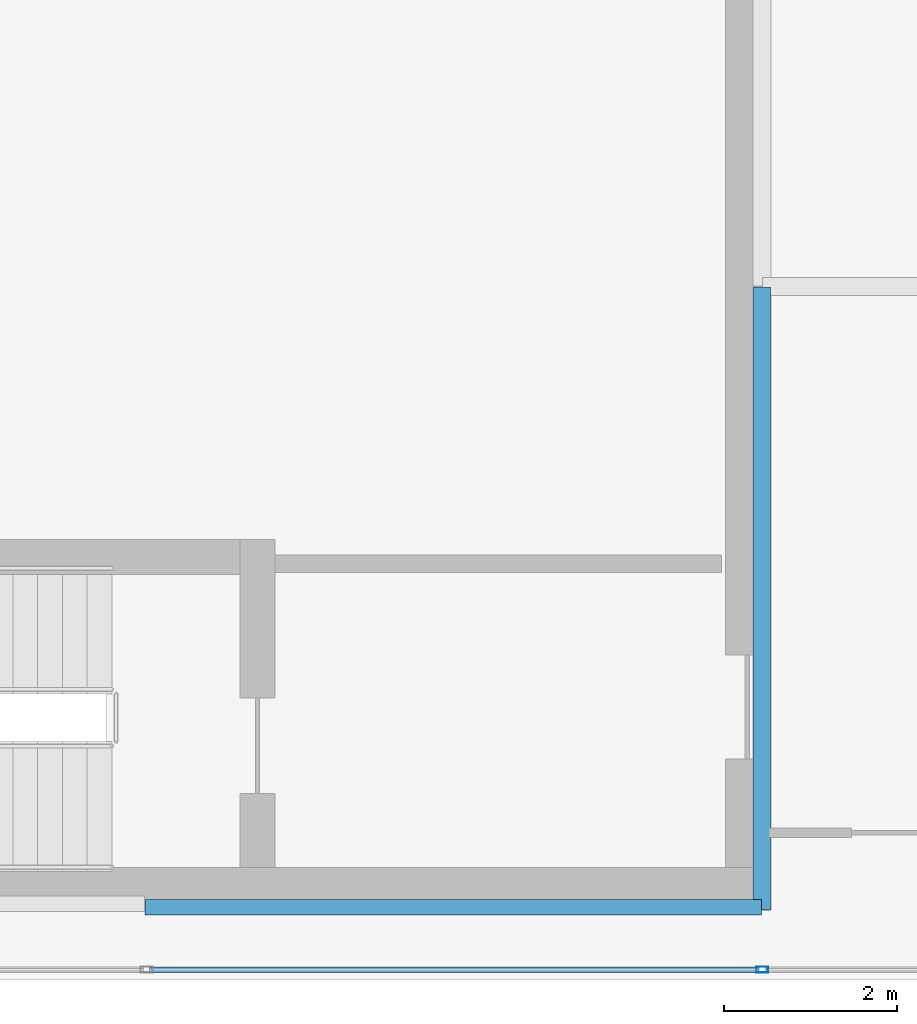
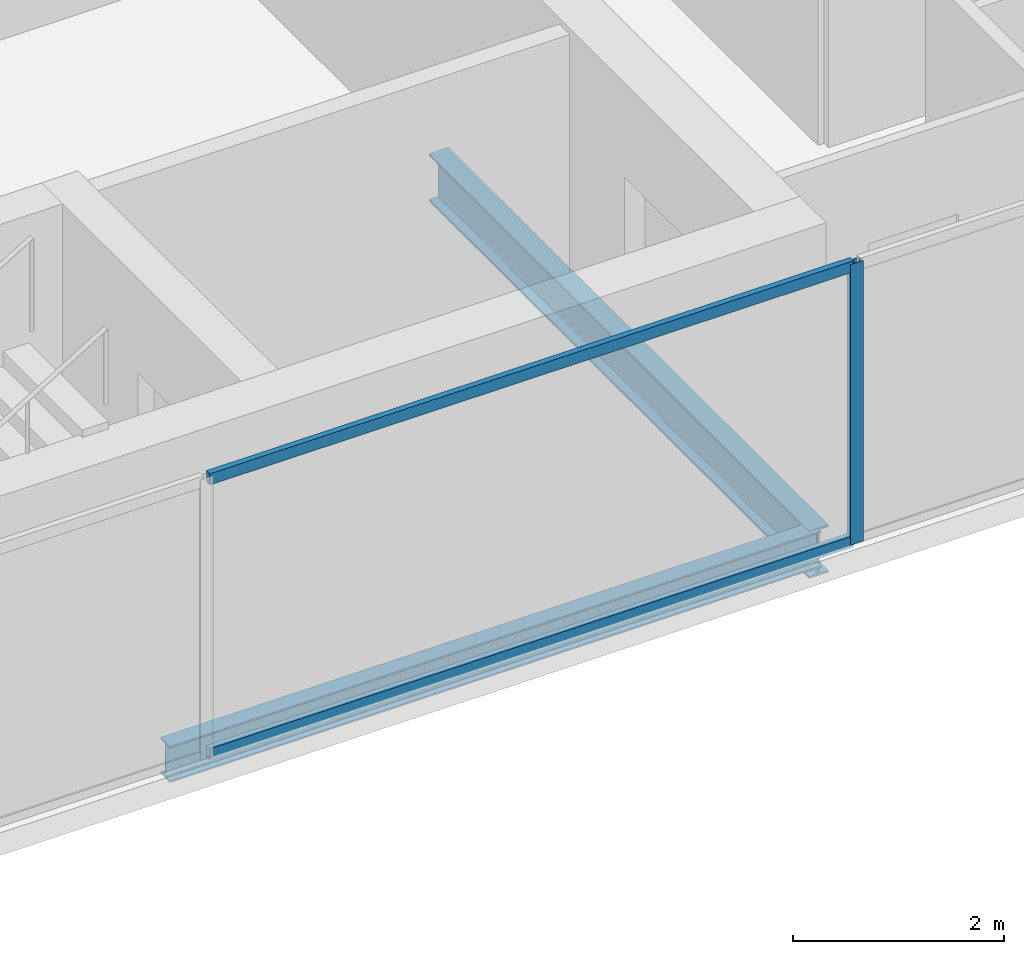
# One storey, part 3 of 24: 3 members, 2 beams, 1 element without a shape of its own.
"""IFC4 building model written with IfcOpenShell, lengths in metres."""

from ifc_helpers import new_model, si_unit, direction, frame, origin, origin_2d, place, context, subcontext, project, spatial, hollow_rectangle, i_section, extrude, material, material_profile, profile_set, type_object, element, aggregate, save


model = new_model("IFC4")

# Units and contexts
model_context = context("Model", 3, precision=1e-05, world=origin(), true_north=direction((0.0, 1.0)))
body_context = subcontext(model_context, "Body", "Model", "MODEL_VIEW")
ifc_project = project(units=[si_unit("LENGTHUNIT", "METRE"), si_unit("AREAUNIT", "SQUARE_METRE"), si_unit("VOLUMEUNIT", "CUBIC_METRE"), si_unit("PLANEANGLEUNIT", "RADIAN"), si_unit("MASSUNIT", "GRAM", prefix="KILO")], contexts=[model_context])

# Site, building, storey
site_placement = place(None, origin())
site = spatial("IfcSite", under=ifc_project, at=site_placement, CompositionType="ELEMENT")
building_placement = place(site_placement, origin())
building = spatial("IfcBuilding", under=site, at=building_placement, Name="Cobrela Telecom Tower", CompositionType="ELEMENT")
storey_placement = place(building_placement, frame((0.0, 0.0, 248.14990234375)))
storey = spatial("IfcBuildingStorey", under=building, at=storey_placement, Name="L64", CompositionType="ELEMENT", Elevation=248.14990234375)

# Beams
ifc_material_1 = material(Name="Steel ASTM A992 Grade 50", Category="steel")
ifc_material_profile_1 = material_profile(ifc_material_1, i_section(OverallWidth=0.212890625, OverallDepth=0.549072265625, WebThickness=0.0146484375, FlangeThickness=0.023681640625, FilletRadius=0.013916015625, at=origin_2d()), Name="W21X93")
ifc_profile_set_1 = profile_set([ifc_material_profile_1], Name="Steel ASTM A992 Grade 50")
beam_type_1 = type_object("IfcBeamType", Name="BM-GIRD-08", PredefinedType="USERDEFINED", material=ifc_profile_set_1)
beam_1_placement = place(storey_placement, frame((14.320068359375, 7.205078125, -0.534423828125), z_axis=(0.0, 1.0, 0.0), x_axis=(-1.0, 0.0, 0.0)))
element("IfcBeam", 1, at=beam_1_placement, inside=storey, type_object=beam_type_1, Name="L64 Primary Girder Y21", ObjectType="GIRDER", PredefinedType="USERDEFINED", context=body_context, shape_type="SweptSolid", body=[
    extrude(i_section(OverallWidth=0.212890625, OverallDepth=0.549072265625, WebThickness=0.0146484375, FlangeThickness=0.023681640625, FilletRadius=0.013916015625, at=origin_2d()), origin(), (0.0, 0.0, 1.0), 7.18994140625),
])
ifc_material_profile_2 = material_profile(ifc_material_1, i_section(OverallWidth=0.179931640625, OverallDepth=0.4169921875, WebThickness=0.010986328125, FlangeThickness=0.01806640625, FilletRadius=0.011962890625, at=origin_2d()), Name="W16X57")
ifc_profile_set_2 = profile_set([ifc_material_profile_2], Name="Steel ASTM A992 Grade 50")
beam_type_2 = type_object("IfcBeamType", Name="BM-SPAND-06", PredefinedType="SPANDREL", material=ifc_profile_set_2)
beam_2_placement = place(storey_placement, frame((7.205078125, 7.239990234375, -0.468505859375), z_axis=(1.0, 0.0, 0.0), x_axis=(0.0, 1.0, 0.0)))
element("IfcBeam", 2, at=beam_2_placement, inside=storey, type_object=beam_type_2, Name="L64 Perimeter Spandrel X02", PredefinedType="SPANDREL", context=body_context, shape_type="SweptSolid", body=[
    extrude(i_section(OverallWidth=0.179931640625, OverallDepth=0.4169921875, WebThickness=0.010986328125, FlangeThickness=0.01806640625, FilletRadius=0.011962890625, at=origin_2d()), origin(), (0.0, 0.0, 1.0), 7.10986328125),
])

# Curtain wall, members
ifc_material_2 = material(Name="Anodized Bronze Aluminium 6063-T6", Category="aluminium")
curtain_wall_type = type_object("IfcCurtainWallType", Name="CW-SYS-OFF-HI", PredefinedType="USERDEFINED", material=ifc_material_2)
curtain_wall_placement = place(storey_placement, origin())
curtain_wall = element("IfcCurtainWall", 3, at=curtain_wall_placement, inside=storey, type_object=curtain_wall_type, Name="L64 Unitised Bronze Curtain Wall 15", ObjectType="UNITISED CURTAIN WALL", PredefinedType="USERDEFINED")
ifc_material_profile_3 = material_profile(ifc_material_2, hollow_rectangle(XDim=0.070068359375, YDim=0.139892578125, WallThickness=0.00390625, at=origin_2d()), Name="ALU 70x140x4")
ifc_profile_set_3 = profile_set([ifc_material_profile_3], Name="Anodized Bronze Aluminium 6063-T6")
member_type_1 = type_object("IfcMemberType", Name="CW-SYS-OFF-HI-MUL", PredefinedType="MULLION", material=ifc_profile_set_3)
member_1_placement = place(storey_placement, frame((14.3232421875, 6.52001953125, 0.0), z_axis=(0.0, 0.0, 1.0), x_axis=(0.0, -1.0, 0.0)))
member_1 = element("IfcMember", 4, at=member_1_placement, type_object=member_type_1, Name="CW-OFF-HI mullion 5", PredefinedType="MULLION", context=body_context, shape_type="SweptSolid", body=[
    extrude(hollow_rectangle(XDim=0.070068359375, YDim=0.139892578125, WallThickness=0.00390625, at=origin_2d()), origin(), (0.0, 0.0, 1.0), 3.239990234375),
])
ifc_material_profile_4 = material_profile(ifc_material_2, hollow_rectangle(XDim=0.06494140625, YDim=0.1298828125, WallThickness=0.00390625, at=origin_2d()), Name="ALU 65x130x4")
ifc_profile_set_4 = profile_set([ifc_material_profile_4], Name="Anodized Bronze Aluminium 6063-T6")
member_type_2 = type_object("IfcMemberType", Name="CW-SYS-OFF-HI-TRN", PredefinedType="USERDEFINED", material=ifc_profile_set_4)
member_2_placement = place(storey_placement, frame((14.288330078125, 6.52001953125, 0.03271484375), z_axis=(-1.0, 0.0, 0.0), x_axis=(0.0, -1.0, 0.0)))
member_2 = element("IfcMember", 5, at=member_2_placement, type_object=member_type_2, Name="CW-OFF-HI transom 5.1", ObjectType="TRANSOM", PredefinedType="USERDEFINED", context=body_context, shape_type="SweptSolid", body=[
    extrude(hollow_rectangle(XDim=0.06494140625, YDim=0.1298828125, WallThickness=0.00390625, at=origin_2d()), origin(), (0.0, 0.0, 1.0), 7.03173828125),
])
member_3_placement = place(storey_placement, frame((14.288330078125, 6.52001953125, 3.20751953125), z_axis=(-1.0, 0.0, 0.0), x_axis=(0.0, -1.0, 0.0)))
member_3 = element("IfcMember", 6, at=member_3_placement, type_object=member_type_2, Name="CW-OFF-HI transom 5.2", ObjectType="TRANSOM", PredefinedType="USERDEFINED", context=body_context, shape_type="SweptSolid", body=[
    extrude(hollow_rectangle(XDim=0.06494140625, YDim=0.1298828125, WallThickness=0.00390625, at=origin_2d()), origin(), (0.0, 0.0, 1.0), 7.03173828125),
])
aggregate(curtain_wall, [member_1, member_2, member_3])

save(model, "model.ifc")
